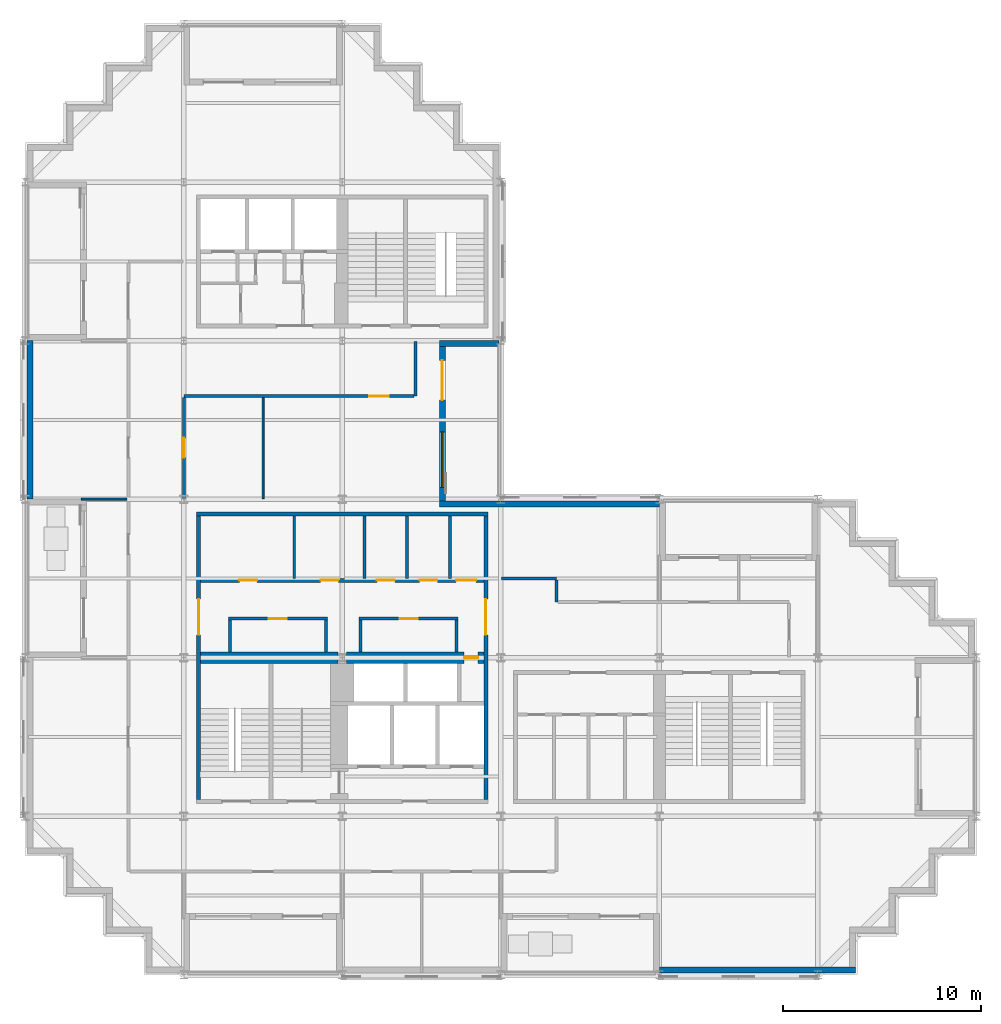
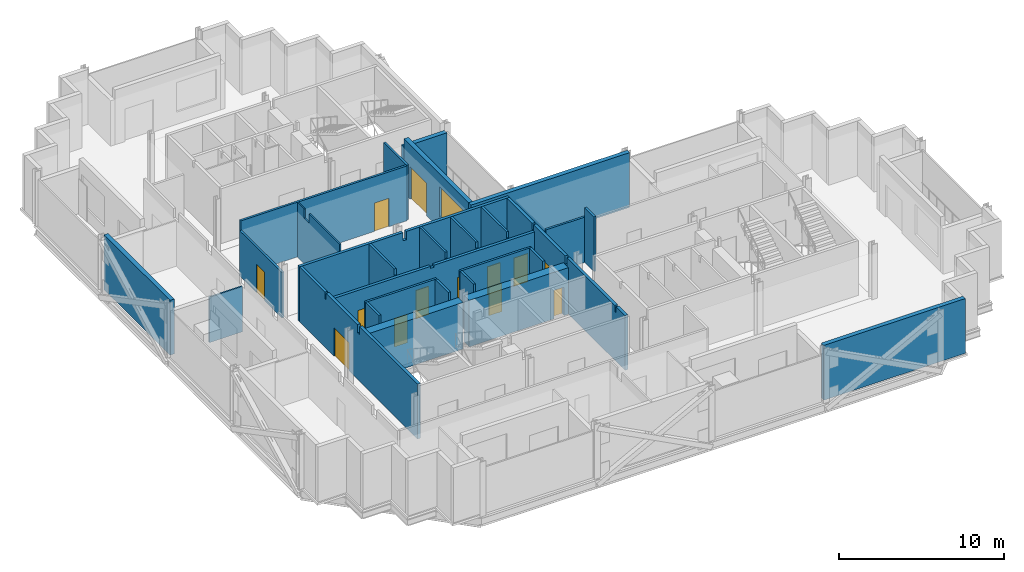
# One storey, part 6 of 11: 28 walls, 13 doors, 1 window, 14 openings.
"""IFC4 building model written with IfcOpenShell, lengths in metres."""

from ifc_helpers import new_model, si_unit, direction, frame, frame_2d, origin, place, context, subcontext, project, spatial, polyline, rectangle, outline, extrude, material, layer, layer_set, type_object, element, fill, save


model = new_model("IFC4")

# Units and contexts
model_context = context("Model", 3, precision=1e-05, world=origin(), true_north=direction((0.0, 1.0)))
body_context = subcontext(model_context, "Body", "Model", "MODEL_VIEW")
ifc_project = project(units=[si_unit("LENGTHUNIT", "METRE"), si_unit("AREAUNIT", "SQUARE_METRE"), si_unit("VOLUMEUNIT", "CUBIC_METRE"), si_unit("PLANEANGLEUNIT", "RADIAN"), si_unit("MASSUNIT", "GRAM", prefix="KILO")], contexts=[model_context])

# Site, building, storey
site_placement = place(None, origin())
site = spatial("IfcSite", under=ifc_project, at=site_placement, CompositionType="ELEMENT")
building_placement = place(site_placement, origin())
building = spatial("IfcBuilding", under=site, at=building_placement, Name="Immortelle Media Tower", CompositionType="ELEMENT")
storey_placement = place(building_placement, frame((0.0, 0.0, 157.800048828125)))
storey = spatial("IfcBuildingStorey", under=building, at=storey_placement, Name="L32", CompositionType="ELEMENT", Elevation=157.800048828125)

# Wall, opening, door
ifc_material_1 = material(Name="Fire-rated masonry blockwork", Category="masonry")
ifc_layer_1 = layer(ifc_material_1, 0.60009765625)
ifc_layer_set_1 = layer_set([ifc_layer_1], Name="Fire-rated masonry blockwork")
wall_type_1 = type_object("IfcWallType", Name="Core grid-line wall 600", PredefinedType="PARTITIONING", material=ifc_layer_set_1)
wall_1_placement = place(storey_placement, frame((16.20947265625, 16.0, 0.0), z_axis=(0.0, 0.0, 1.0), x_axis=(1.0, 0.0, 0.0)))
wall_1 = element("IfcWall", 1, at=wall_1_placement, inside=storey, type_object=wall_type_1, Name="Core grid-line wall SW", PredefinedType="PARTITIONING", context=body_context, shape_type="SweptSolid", body=[
    extrude(rectangle(XDim=6.9404296875, YDim=0.60009765625, at=frame_2d((3.47021484375, 0.0))), origin(), (0.0, 0.0, 1.0), 3.44189453125),
])
opening_1_placement = place(wall_1_placement, frame((6.640380859375, 0.0, 0.0), z_axis=(0.0, 0.0, 1.0), x_axis=(-1.0, 0.0, 0.0)))
opening_1 = element("IfcOpeningElement", 2, at=opening_1_placement, cuts=wall_1, Name="Opening C4-K016", PredefinedType="OPENING", context=body_context, shape_type="SweptSolid", body=[
    extrude(rectangle(XDim=0.699951171875, YDim=2.10009765625, at=frame_2d((0.35009765625, 1.050048828125))), frame((0.0, 0.31005859375, 0.0), z_axis=(0.0, -1.0, 0.0), x_axis=(1.0, 0.0, 0.0)), (0.0, 0.0, 1.0), 0.6201171875),
])
ifc_material_2 = material(Name="Galvanised steel door leaf and frame ASTM A653", Category="steel")
door_type_1 = type_object("IfcDoorType", Name="Service door 700 x 2100", OperationType="NOTDEFINED", PredefinedType="NOTDEFINED", material=ifc_material_2)
door_1_placement = place(opening_1_placement, origin())
door_1 = element("IfcDoor", 3, at=door_1_placement, inside=storey, type_object=door_type_1, Name="Service C4-K016", OperationType="SINGLE_SWING_LEFT", OverallHeight=2.10009765625, OverallWidth=0.699951171875, PredefinedType="NOTDEFINED", context=body_context, shape_type="SweptSolid", body=[
    extrude(rectangle(XDim=0.699951171875, YDim=2.10009765625, at=frame_2d((0.35009765625, 1.050048828125))), frame((0.0, 0.02490234375, 0.0), z_axis=(0.0, -1.0, 0.0), x_axis=(1.0, 0.0, 0.0)), (0.0, 0.0, 1.0), 0.050048828125),
])
fill(opening_1, door_1)

# Wall
ifc_material_3 = material(Name="Fire-rated gypsum board", Category="gypsum")
ifc_layer_2 = layer(ifc_material_3, 0.02490234375)
ifc_material_4 = material(Name="Steel ASTM A653 SS Gr 50 stud frame with mineral wool", Category="steel")
ifc_layer_3 = layer(ifc_material_4, 0.10009765625)
ifc_layer_4 = layer(ifc_material_3, 0.02490234375)
ifc_layer_set_2 = layer_set([ifc_layer_2, ifc_layer_3, ifc_layer_4], Name="Steel ASTM A653 SS Gr 50 stud frame with mineral wool")
wall_type_2 = type_object("IfcWallType", Name="Core partition 150", PredefinedType="PARTITIONING", material=ifc_layer_set_2)
wall_2_placement = place(storey_placement, frame((10.324951171875, 16.300048828125, 0.0), z_axis=(0.0, 0.0, 1.0), x_axis=(0.0, 1.0, 0.0)))
element("IfcWall", 4, at=wall_2_placement, inside=storey, type_object=wall_type_2, Name="Core partition SW", PredefinedType="PARTITIONING", context=body_context, shape_type="SweptSolid", body=[
    extrude(rectangle(XDim=1.599853515625, YDim=0.14990234375, at=frame_2d((0.7998046875, 0.0))), origin(), (0.0, 0.0, 1.0), 4.050048828125),
])

# Wall, opening, door
wall_3_placement = place(storey_placement, frame((10.25, 17.97509765625, 0.0), z_axis=(0.0, 0.0, 1.0), x_axis=(1.0, 0.0, 0.0)))
wall_3 = element("IfcWall", 5, at=wall_3_placement, inside=storey, type_object=wall_type_2, Name="Core partition SW", PredefinedType="PARTITIONING", context=body_context, shape_type="SweptSolid", body=[
    extrude(rectangle(XDim=5.0, YDim=0.14990234375, at=frame_2d((2.5, 0.0))), origin(), (0.0, 0.0, 1.0), 4.050048828125),
])
opening_2_placement = place(wall_3_placement, frame((2.949951171875, 0.0, 0.0), z_axis=(0.0, 0.0, 1.0), x_axis=(-1.0, 0.0, 0.0)))
opening_2 = element("IfcOpeningElement", 6, at=opening_2_placement, cuts=wall_3, Name="Opening C4-K004", PredefinedType="OPENING", context=body_context, shape_type="SweptSolid", body=[
    extrude(rectangle(XDim=0.89990234375, YDim=2.10009765625, at=frame_2d((0.449951171875, 1.050048828125))), frame((0.0, 0.0849609375, 0.0), z_axis=(0.0, -1.0, 0.0), x_axis=(1.0, 0.0, 0.0)), (0.0, 0.0, 1.0), 0.169921875),
])
ifc_material_5 = material(Name="Timber", Category="wood")
door_type_2 = type_object("IfcDoorType", Name="Room door 900 x 2100", OperationType="NOTDEFINED", PredefinedType="NOTDEFINED", material=ifc_material_5)
door_2_placement = place(opening_2_placement, origin())
door_2 = element("IfcDoor", 7, at=door_2_placement, inside=storey, type_object=door_type_2, Name="Room C4-K004", OperationType="SINGLE_SWING_RIGHT", OverallHeight=2.10009765625, OverallWidth=0.89990234375, PredefinedType="NOTDEFINED", context=body_context, shape_type="SweptSolid", body=[
    extrude(rectangle(XDim=0.89990234375, YDim=2.10009765625, at=frame_2d((0.449951171875, 1.050048828125))), frame((0.0, 0.02490234375, 0.0), z_axis=(0.0, -1.0, 0.0), x_axis=(1.0, 0.0, 0.0)), (0.0, 0.0, 1.0), 0.050048828125),
])
fill(opening_2, door_2)

# Walls
wall_4_placement = place(storey_placement, frame((13.574951171875, 20.0, 0.0), z_axis=(0.0, 0.0, 1.0), x_axis=(0.0, 1.0, 0.0)))
element("IfcWall", 8, at=wall_4_placement, inside=storey, type_object=wall_type_2, Name="Core partition SW", PredefinedType="PARTITIONING", context=body_context, shape_type="SweptSolid", body=[
    extrude(outline(polyline([(0.0, 0.0), (3.14990234375, 0.0), (3.14990234375, 4.050048828125), (0.08154296875, 4.050048828125), (0.08056640625, 3.5888671875), (0.0, 3.5888671875), (0.0, 0.0)])), frame((0.0, 0.074951171875, 0.0), z_axis=(0.0, -1.0, 0.0), x_axis=(1.0, 0.0, 0.0)), (0.0, 0.0, 1.0), 0.14990234375),
])
for number, where, z_axis, x_axis, name in (
    (9, (15.175048828125, 16.300048828125, 0.0), (0.0, 0.0, 1.0), (0.0, 1.0, 0.0), "Core partition SW"),
    (10, (16.925048828125, 16.300048828125, 0.0), (0.0, 0.0, 1.0), (0.0, 1.0, 0.0), "Core partition SW"),
):
    element("IfcWall", number, at=place(storey_placement, frame(where, z_axis=z_axis, x_axis=x_axis)), inside=storey, type_object=wall_type_2, Name=name, PredefinedType="PARTITIONING", context=body_context, shape_type="SweptSolid", body=[
        extrude(rectangle(XDim=1.599853515625, YDim=0.14990234375, at=frame_2d((0.7998046875, 0.0))), origin(), (0.0, 0.0, 1.0), 4.050048828125),
    ])

# Wall, opening, door
wall_5_placement = place(storey_placement, frame((16.85009765625, 17.97509765625, 0.0), z_axis=(0.0, 0.0, 1.0), x_axis=(1.0, 0.0, 0.0)))
wall_5 = element("IfcWall", 11, at=wall_5_placement, inside=storey, type_object=wall_type_2, Name="Core partition SW", PredefinedType="PARTITIONING", context=body_context, shape_type="SweptSolid", body=[
    extrude(rectangle(XDim=5.0, YDim=0.14990234375, at=frame_2d((2.5, 0.0))), origin(), (0.0, 0.0, 1.0), 4.050048828125),
])
opening_3_placement = place(wall_5_placement, frame((2.949951171875, 0.0, 0.0), z_axis=(0.0, 0.0, 1.0), x_axis=(-1.0, 0.0, 0.0)))
opening_3 = element("IfcOpeningElement", 12, at=opening_3_placement, cuts=wall_5, Name="Opening C4-K010", PredefinedType="OPENING", context=body_context, shape_type="SweptSolid", body=[
    extrude(rectangle(XDim=0.89990234375, YDim=2.10009765625, at=frame_2d((0.449951171875, 1.050048828125))), frame((0.0, 0.0849609375, 0.0), z_axis=(0.0, -1.0, 0.0), x_axis=(1.0, 0.0, 0.0)), (0.0, 0.0, 1.0), 0.169921875),
])
door_3_placement = place(opening_3_placement, origin())
door_3 = element("IfcDoor", 13, at=door_3_placement, inside=storey, type_object=door_type_2, Name="Room C4-K010", OperationType="SINGLE_SWING_LEFT", OverallHeight=2.10009765625, OverallWidth=0.89990234375, PredefinedType="NOTDEFINED", context=body_context, shape_type="SweptSolid", body=[
    extrude(rectangle(XDim=0.89990234375, YDim=2.10009765625, at=frame_2d((0.449951171875, 1.050048828125))), frame((0.0, 0.02490234375, 0.0), z_axis=(0.0, -1.0, 0.0), x_axis=(1.0, 0.0, 0.0)), (0.0, 0.0, 1.0), 0.050048828125),
])
fill(opening_3, door_3)

# Walls
for number, where, z_axis, x_axis, name in (
    (14, (17.125, 20.0, 0.0), (0.0, 0.0, 1.0), (0.0, 1.0, 0.0), "Core partition SW"),
    (15, (19.27490234375, 20.0, 0.0), (0.0, 0.0, 1.0), (0.0, 1.0, 0.0), "Core partition SW"),
    (16, (21.425048828125, 20.0, 0.0), (0.0, 0.0, 1.0), (0.0, 1.0, 0.0), "Core partition SW"),
):
    element("IfcWall", number, at=place(storey_placement, frame(where, z_axis=z_axis, x_axis=x_axis)), inside=storey, type_object=wall_type_2, Name=name, PredefinedType="PARTITIONING", context=body_context, shape_type="SweptSolid", body=[
        extrude(outline(polyline([(0.0, 0.0), (3.14990234375, 0.0), (3.14990234375, 4.050048828125), (0.08154296875, 4.050048828125), (0.08056640625, 3.5888671875), (0.0, 3.5888671875), (0.0, 0.0)])), frame((0.0, 0.074951171875, 0.0), z_axis=(0.0, -1.0, 0.0), x_axis=(1.0, 0.0, 0.0)), (0.0, 0.0, 1.0), 0.14990234375),
    ])
wall_6_placement = place(storey_placement, frame((21.77490234375, 16.300048828125, 0.0), z_axis=(0.0, 0.0, 1.0), x_axis=(0.0, 1.0, 0.0)))
element("IfcWall", 17, at=wall_6_placement, inside=storey, type_object=wall_type_2, Name="Core partition SW", PredefinedType="PARTITIONING", context=body_context, shape_type="SweptSolid", body=[
    extrude(rectangle(XDim=1.599853515625, YDim=0.14990234375, at=frame_2d((0.7998046875, 0.0))), origin(), (0.0, 0.0, 1.0), 4.050048828125),
])
ifc_layer_5 = layer(ifc_material_3, 0.03759765625)
ifc_layer_6 = layer(ifc_material_4, 0.125)
ifc_layer_7 = layer(ifc_material_3, 0.03759765625)
ifc_layer_set_3 = layer_set([ifc_layer_5, ifc_layer_6, ifc_layer_7], Name="Steel ASTM A653 SS Gr 50 stud frame with mineral wool")
wall_type_3 = type_object("IfcWallType", Name="Core shaft wall 200", PredefinedType="PARTITIONING", material=ifc_layer_set_3)
wall_7_placement = place(storey_placement, frame((8.64990234375, 23.25, 0.0), z_axis=(0.0, 0.0, 1.0), x_axis=(1.0, 0.0, 0.0)))
element("IfcWall", 18, at=wall_7_placement, inside=storey, type_object=wall_type_3, Name="Core shaft wall SW", PredefinedType="PARTITIONING", context=body_context, shape_type="SweptSolid", body=[
    extrude(outline(polyline([(0.0, 0.0), (14.7001953125, 0.0), (14.699951171875, 4.050048828125), (7.468994140625, 4.050048828125), (7.468017578125, 3.44189453125), (7.23193359375, 3.44189453125), (7.23095703125, 4.050048828125), (0.0, 4.050048828125), (0.0, 0.0)])), frame((0.0, 0.10009765625, 0.0), z_axis=(0.0, -1.0, 0.0), x_axis=(1.0, 0.0, 0.0)), (0.0, 0.0, 1.0), 0.199951171875),
])

# Wall, openings, doors
wall_8_placement = place(storey_placement, frame((8.85009765625, 19.89990234375, 0.0), z_axis=(0.0, 0.0, 1.0), x_axis=(1.0, 0.0, 0.0)))
wall_8 = element("IfcWall", 19, at=wall_8_placement, inside=storey, type_object=wall_type_3, Name="Core shaft wall SW", PredefinedType="PARTITIONING", context=body_context, shape_type="SweptSolid", body=[
    extrude(outline(polyline([(0.0, 0.0), (14.2998046875, 0.0), (14.300048828125, 3.5888671875), (7.26904296875, 3.5888671875), (7.26806640625, 3.44189453125), (7.031982421875, 3.44189453125), (7.031005859375, 3.5888671875), (0.0, 3.5888671875), (0.0, 0.0)])), frame((0.0, 0.10009765625, 0.0), z_axis=(0.0, -1.0, 0.0), x_axis=(1.0, 0.0, 0.0)), (0.0, 0.0, 1.0), 0.199951171875),
])
opening_4_placement = place(wall_8_placement, frame((1.949951171875, 0.0, 0.0)))
opening_4 = element("IfcOpeningElement", 20, at=opening_4_placement, cuts=wall_8, Name="Opening C4-K003", PredefinedType="OPENING", context=body_context, shape_type="SweptSolid", body=[
    extrude(rectangle(XDim=0.89990234375, YDim=2.10009765625, at=frame_2d((0.449951171875, 1.050048828125))), frame((0.0, 0.10986328125, 0.0), z_axis=(0.0, -1.0, 0.0), x_axis=(1.0, 0.0, 0.0)), (0.0, 0.0, 1.0), 0.219970703125),
])
opening_5_placement = place(wall_8_placement, frame((6.050048828125, 0.0, 0.0)))
opening_5 = element("IfcOpeningElement", 21, at=opening_5_placement, cuts=wall_8, Name="Opening C4-K006", PredefinedType="OPENING", context=body_context, shape_type="SweptSolid", body=[
    extrude(rectangle(XDim=0.89990234375, YDim=2.10009765625, at=frame_2d((0.449951171875, 1.050048828125))), frame((0.0, 0.10986328125, 0.0), z_axis=(0.0, -1.0, 0.0), x_axis=(1.0, 0.0, 0.0)), (0.0, 0.0, 1.0), 0.219970703125),
])
opening_6_placement = place(wall_8_placement, frame((8.89990234375, 0.0, 0.0)))
opening_6 = element("IfcOpeningElement", 22, at=opening_6_placement, cuts=wall_8, Name="Opening C4-K009", PredefinedType="OPENING", context=body_context, shape_type="SweptSolid", body=[
    extrude(rectangle(XDim=0.89990234375, YDim=2.10009765625, at=frame_2d((0.449951171875, 1.050048828125))), frame((0.0, 0.10986328125, 0.0), z_axis=(0.0, -1.0, 0.0), x_axis=(1.0, 0.0, 0.0)), (0.0, 0.0, 1.0), 0.219970703125),
])
opening_7_placement = place(wall_8_placement, frame((11.050048828125, 0.0, 0.0)))
opening_7 = element("IfcOpeningElement", 23, at=opening_7_placement, cuts=wall_8, Name="Opening C4-K013", PredefinedType="OPENING", context=body_context, shape_type="SweptSolid", body=[
    extrude(rectangle(XDim=0.89990234375, YDim=2.10009765625, at=frame_2d((0.449951171875, 1.050048828125))), frame((0.0, 0.10986328125, 0.0), z_axis=(0.0, -1.0, 0.0), x_axis=(1.0, 0.0, 0.0)), (0.0, 0.0, 1.0), 0.219970703125),
])
opening_8_placement = place(wall_8_placement, frame((12.89990234375, 0.0, 0.0)))
opening_8 = element("IfcOpeningElement", 24, at=opening_8_placement, cuts=wall_8, Name="Opening C4-K015", PredefinedType="OPENING", context=body_context, shape_type="SweptSolid", body=[
    extrude(rectangle(XDim=1.0, YDim=2.10009765625, at=frame_2d((0.5, 1.050048828125))), frame((0.0, 0.10986328125, 0.0), z_axis=(0.0, -1.0, 0.0), x_axis=(1.0, 0.0, 0.0)), (0.0, 0.0, 1.0), 0.219970703125),
])
door_type_3 = type_object("IfcDoorType", Name="Accessible toilet door 1000 x 2100", OperationType="NOTDEFINED", PredefinedType="NOTDEFINED", material=ifc_material_5)
door_4_placement = place(opening_8_placement, origin())
door_4 = element("IfcDoor", 25, at=door_4_placement, inside=storey, type_object=door_type_3, Name="Accessible toilet C4-K015", OperationType="SINGLE_SWING_LEFT", OverallHeight=2.10009765625, OverallWidth=1.0, PredefinedType="NOTDEFINED", context=body_context, shape_type="SweptSolid", body=[
    extrude(rectangle(XDim=1.0, YDim=2.10009765625, at=frame_2d((0.5, 1.050048828125))), frame((0.0, 0.02490234375, 0.0), z_axis=(0.0, -1.0, 0.0), x_axis=(1.0, 0.0, 0.0)), (0.0, 0.0, 1.0), 0.050048828125),
])
fill(opening_8, door_4)
door_5_placement = place(opening_4_placement, origin())
door_5 = element("IfcDoor", 26, at=door_5_placement, inside=storey, type_object=door_type_2, Name="Room C4-K003", OperationType="SINGLE_SWING_RIGHT", OverallHeight=2.10009765625, OverallWidth=0.89990234375, PredefinedType="NOTDEFINED", context=body_context, shape_type="SweptSolid", body=[
    extrude(rectangle(XDim=0.89990234375, YDim=2.10009765625, at=frame_2d((0.449951171875, 1.050048828125))), frame((0.0, 0.02490234375, 0.0), z_axis=(0.0, -1.0, 0.0), x_axis=(1.0, 0.0, 0.0)), (0.0, 0.0, 1.0), 0.050048828125),
])
fill(opening_4, door_5)
door_6_placement = place(opening_5_placement, origin())
door_6 = element("IfcDoor", 27, at=door_6_placement, inside=storey, type_object=door_type_2, Name="Room C4-K006", OperationType="SINGLE_SWING_LEFT", OverallHeight=2.10009765625, OverallWidth=0.89990234375, PredefinedType="NOTDEFINED", context=body_context, shape_type="SweptSolid", body=[
    extrude(rectangle(XDim=0.89990234375, YDim=2.10009765625, at=frame_2d((0.449951171875, 1.050048828125))), frame((0.0, 0.02490234375, 0.0), z_axis=(0.0, -1.0, 0.0), x_axis=(1.0, 0.0, 0.0)), (0.0, 0.0, 1.0), 0.050048828125),
])
fill(opening_5, door_6)
door_type_4 = type_object("IfcDoorType", Name="Toilet door 900 x 2100", OperationType="NOTDEFINED", PredefinedType="NOTDEFINED", material=ifc_material_5)
door_7_placement = place(opening_6_placement, origin())
door_7 = element("IfcDoor", 28, at=door_7_placement, inside=storey, type_object=door_type_4, Name="Toilet C4-K009", OperationType="SINGLE_SWING_RIGHT", OverallHeight=2.10009765625, OverallWidth=0.89990234375, PredefinedType="NOTDEFINED", context=body_context, shape_type="SweptSolid", body=[
    extrude(rectangle(XDim=0.89990234375, YDim=2.10009765625, at=frame_2d((0.449951171875, 1.050048828125))), frame((0.0, 0.02490234375, 0.0), z_axis=(0.0, -1.0, 0.0), x_axis=(1.0, 0.0, 0.0)), (0.0, 0.0, 1.0), 0.050048828125),
])
fill(opening_6, door_7)
door_8_placement = place(opening_7_placement, origin())
door_8 = element("IfcDoor", 29, at=door_8_placement, inside=storey, type_object=door_type_4, Name="Toilet C4-K013", OperationType="SINGLE_SWING_RIGHT", OverallHeight=2.10009765625, OverallWidth=0.89990234375, PredefinedType="NOTDEFINED", context=body_context, shape_type="SweptSolid", body=[
    extrude(rectangle(XDim=0.89990234375, YDim=2.10009765625, at=frame_2d((0.449951171875, 1.050048828125))), frame((0.0, 0.02490234375, 0.0), z_axis=(0.0, -1.0, 0.0), x_axis=(1.0, 0.0, 0.0)), (0.0, 0.0, 1.0), 0.050048828125),
])
fill(opening_7, door_8)

# Wall, opening, door
wall_9_placement = place(storey_placement, frame((23.25, 8.85009765625, 0.0), z_axis=(0.0, 0.0, 1.0), x_axis=(0.0, 1.0, 0.0)))
wall_9 = element("IfcWall", 30, at=wall_9_placement, inside=storey, type_object=wall_type_3, Name="Core shaft wall SW", PredefinedType="PARTITIONING", context=body_context, shape_type="SweptSolid", body=[
    extrude(outline(polyline([(0.0, 0.0), (14.2998046875, 0.0), (14.300048828125, 4.050048828125), (11.2314453125, 4.050048828125), (11.23046875, 3.5888671875), (11.069580078125, 3.5888671875), (11.068603515625, 4.050048828125), (7.26904296875, 4.050048828125), (7.26806640625, 3.44189453125), (7.031982421875, 3.44189453125), (7.031005859375, 4.050048828125), (1.2314453125, 4.050048828125), (1.23046875, 3.5888671875), (1.069580078125, 3.5888671875), (1.068603515625, 4.050048828125), (0.0, 4.050048828125), (0.0, 0.0)])), frame((0.0, 0.10009765625, 0.0), z_axis=(0.0, -1.0, 0.0), x_axis=(1.0, 0.0, 0.0)), (0.0, 0.0, 1.0), 0.199951171875),
])
opening_9_placement = place(wall_9_placement, frame((8.300048828125, 0.0, 0.0)))
opening_9 = element("IfcOpeningElement", 31, at=opening_9_placement, cuts=wall_9, Name="Opening C4-K017", PredefinedType="OPENING", context=body_context, shape_type="SweptSolid", body=[
    extrude(rectangle(XDim=1.800048828125, YDim=2.10009765625, at=frame_2d((0.89990234375, 1.050048828125))), frame((0.0, 0.10986328125, 0.0), z_axis=(0.0, -1.0, 0.0), x_axis=(1.0, 0.0, 0.0)), (0.0, 0.0, 1.0), 0.219970703125),
])
door_type_5 = type_object("IfcDoorType", Name="Lift lobby door 1800 x 2100", OperationType="DOUBLE_DOOR_SINGLE_SWING", PredefinedType="NOTDEFINED", material=ifc_material_2)
door_9_placement = place(opening_9_placement, origin())
door_9 = element("IfcDoor", 32, at=door_9_placement, inside=storey, type_object=door_type_5, Name="Lift lobby C4-K017", OperationType="DOUBLE_DOOR_SINGLE_SWING", OverallHeight=2.10009765625, OverallWidth=1.800048828125, PredefinedType="NOTDEFINED", context=body_context, shape_type="SweptSolid", body=[
    extrude(rectangle(XDim=1.800048828125, YDim=2.10009765625, at=frame_2d((0.89990234375, 1.050048828125))), frame((0.0, 0.02490234375, 0.0), z_axis=(0.0, -1.0, 0.0), x_axis=(1.0, 0.0, 0.0)), (0.0, 0.0, 1.0), 0.050048828125),
])
fill(opening_9, door_9)

# Walls
ifc_layer_8 = layer(ifc_material_3, 0.012451171875)
ifc_layer_9 = layer(ifc_material_4, 0.125)
ifc_layer_10 = layer(ifc_material_3, 0.012451171875)
ifc_layer_set_4 = layer_set([ifc_layer_8, ifc_layer_9, ifc_layer_10], Name="Steel ASTM A653 SS Gr 50 stud frame with mineral wool")
wall_type_4 = type_object("IfcWallType", Name="Corridor wall 150", PredefinedType="PARTITIONING", material=ifc_layer_set_4)
wall_10_placement = place(storey_placement, frame((26.800048828125, 18.800048828125, 0.0), z_axis=(0.0, 0.0, 1.0), x_axis=(0.0, 1.0, 0.0)))
element("IfcWall", 33, at=wall_10_placement, inside=storey, type_object=wall_type_4, Name="Partition L32-012", PredefinedType="PARTITIONING", context=body_context, shape_type="SweptSolid", body=[
    extrude(rectangle(XDim=1.125, YDim=0.14990234375, at=frame_2d((0.5625, 0.0))), origin(), (0.0, 0.0, 1.0), 4.050048828125),
])
wall_11_placement = place(storey_placement, frame((24.030029296875, 20.0, 0.0), z_axis=(0.0, 0.0, 1.0), x_axis=(1.0, 0.0, 0.0)))
element("IfcWall", 34, at=wall_11_placement, inside=storey, type_object=wall_type_4, Name="Partition L32-015", PredefinedType="PARTITIONING", context=body_context, shape_type="SweptSolid", body=[
    extrude(rectangle(XDim=2.77001953125, YDim=0.14990234375, at=frame_2d((1.385009765625, 0.0))), origin(), (0.0, 0.0, 1.0), 3.35400390625),
])

# Wall, opening, door
wall_12_placement = place(storey_placement, frame((8.0, 24.030029296875, 0.0), z_axis=(0.0, 0.0, 1.0), x_axis=(0.0, 1.0, 0.0)))
wall_12 = element("IfcWall", 35, at=wall_12_placement, inside=storey, type_object=wall_type_4, Name="Partition L32-017", PredefinedType="PARTITIONING", context=body_context, shape_type="SweptSolid", body=[
    extrude(rectangle(XDim=5.094970703125, YDim=0.14990234375, at=frame_2d((2.54736328125, 0.0))), origin(), (0.0, 0.0, 1.0), 3.35400390625),
])
opening_10_placement = place(wall_12_placement, frame((3.070068359375, 0.0, 0.0), z_axis=(0.0, 0.0, 1.0), x_axis=(-1.0, 0.0, 0.0)))
opening_10 = element("IfcOpeningElement", 36, at=opening_10_placement, cuts=wall_12, Name="Opening C4-F010", PredefinedType="OPENING", context=body_context, shape_type="SweptSolid", body=[
    extrude(rectangle(XDim=1.0, YDim=2.10009765625, at=frame_2d((0.5, 1.050048828125))), frame((0.0, 0.0849609375, 0.0), z_axis=(0.0, -1.0, 0.0), x_axis=(1.0, 0.0, 0.0)), (0.0, 0.0, 1.0), 0.169921875),
])
ifc_material_6 = material(Name="Timber veneered door leaf, galvanised steel frame ASTM A653", Category="steel")
door_type_6 = type_object("IfcDoorType", Name="Room door 1000 x 2100", OperationType="NOTDEFINED", PredefinedType="DOOR", material=ifc_material_6)
door_10_placement = place(opening_10_placement, origin())
door_10 = element("IfcDoor", 37, at=door_10_placement, inside=storey, type_object=door_type_6, Name="Door C4-F010", OperationType="SINGLE_SWING_LEFT", OverallHeight=2.10009765625, OverallWidth=1.0, PredefinedType="DOOR", context=body_context, shape_type="SweptSolid", body=[
    extrude(rectangle(XDim=1.0, YDim=2.10009765625, at=frame_2d((0.5, 1.050048828125))), frame((0.0, 0.02490234375, 0.0), z_axis=(0.0, -1.0, 0.0), x_axis=(1.0, 0.0, 0.0)), (0.0, 0.0, 1.0), 0.050048828125),
])
fill(opening_10, door_10)

wall_13_placement = place(storey_placement, frame((8.0, 29.199951171875, 0.0), z_axis=(0.0, 0.0, 1.0), x_axis=(1.0, 0.0, 0.0)))
wall_13 = element("IfcWall", 38, at=wall_13_placement, inside=storey, type_object=wall_type_4, Name="Partition L32-019", PredefinedType="PARTITIONING", context=body_context, shape_type="SweptSolid", body=[
    extrude(rectangle(XDim=11.625, YDim=0.14990234375, at=frame_2d((5.8125, 0.0))), origin(), (0.0, 0.0, 1.0), 4.050048828125),
])
opening_11_placement = place(wall_13_placement, frame((10.35009765625, 0.0, 0.0), z_axis=(0.0, 0.0, 1.0), x_axis=(-1.0, 0.0, 0.0)))
opening_11 = element("IfcOpeningElement", 39, at=opening_11_placement, cuts=wall_13, Name="Opening C4-F011", PredefinedType="OPENING", context=body_context, shape_type="SweptSolid", body=[
    extrude(rectangle(XDim=1.0, YDim=2.10009765625, at=frame_2d((0.5, 1.050048828125))), frame((0.0, 0.0849609375, 0.0), z_axis=(0.0, -1.0, 0.0), x_axis=(1.0, 0.0, 0.0)), (0.0, 0.0, 1.0), 0.169921875),
])
door_11_placement = place(opening_11_placement, origin())
door_11 = element("IfcDoor", 40, at=door_11_placement, inside=storey, type_object=door_type_6, Name="Door C4-F011", OperationType="SINGLE_SWING_LEFT", OverallHeight=2.10009765625, OverallWidth=1.0, PredefinedType="DOOR", context=body_context, shape_type="SweptSolid", body=[
    extrude(rectangle(XDim=1.0, YDim=2.10009765625, at=frame_2d((0.5, 1.050048828125))), frame((0.0, 0.02490234375, 0.0), z_axis=(0.0, -1.0, 0.0), x_axis=(1.0, 0.0, 0.0)), (0.0, 0.0, 1.0), 0.050048828125),
])
fill(opening_11, door_11)

# Walls
wall_14_placement = place(storey_placement, frame((19.699951171875, 29.199951171875, 0.0), z_axis=(0.0, 0.0, 1.0), x_axis=(0.0, 1.0, 0.0)))
element("IfcWall", 41, at=wall_14_placement, inside=storey, type_object=wall_type_4, Name="Partition L32-020", PredefinedType="PARTITIONING", context=body_context, shape_type="SweptSolid", body=[
    extrude(rectangle(XDim=2.77001953125, YDim=0.14990234375, at=frame_2d((1.385009765625, 0.0))), origin(), (0.0, 0.0, 1.0), 4.050048828125),
])
ifc_material_7 = material(Name="Pale aluminium cladding panel", Category="aluminium")
ifc_layer_11 = layer(ifc_material_7, 0.030029296875)
ifc_layer_12 = layer(ifc_material_4, 0.257568359375)
ifc_material_8 = material(Name="Moisture-resistant gypsum board", Category="gypsum")
ifc_layer_13 = layer(ifc_material_8, 0.012451171875)
ifc_layer_set_5 = layer_set([ifc_layer_11, ifc_layer_12, ifc_layer_13], Name="Steel ASTM A653 SS Gr 50 stud frame with mineral wool")
wall_type_5 = type_object("IfcWallType", Name="Facade wall 300", PredefinedType="SOLIDWALL", material=ifc_layer_set_5)
wall_15_placement = place(storey_placement, frame((32.0, 0.25, 0.0), z_axis=(0.0, 0.0, 1.0), x_axis=(1.0, 0.0, 0.0)))
element("IfcWall", 42, at=wall_15_placement, inside=storey, type_object=wall_type_5, Name="Facade wall L32 S6", PredefinedType="SOLIDWALL", context=body_context, shape_type="SweptSolid", body=[
    extrude(rectangle(XDim=9.89990234375, YDim=0.300048828125, at=frame_2d((4.949951171875, 0.0))), origin(), (0.0, 0.0, 1.0), 4.050048828125),
])
wall_16_placement = place(storey_placement, frame((32.0, 23.75, 0.0), z_axis=(0.0, 0.0, 1.0), x_axis=(-1.0, 0.0, 0.0)))
element("IfcWall", 43, at=wall_16_placement, inside=storey, type_object=wall_type_5, Name="Facade wall L32 N20", PredefinedType="SOLIDWALL", context=body_context, shape_type="SweptSolid", body=[
    extrude(rectangle(XDim=11.10009765625, YDim=0.300048828125, at=frame_2d((5.550048828125, 0.0))), origin(), (0.0, 0.0, 1.0), 4.050048828125),
])

# Wall, openings, door, window
wall_17_placement = place(storey_placement, frame((21.050048828125, 23.89990234375, 0.0), z_axis=(0.0, 0.0, 1.0), x_axis=(0.0, 1.0, 0.0)))
wall_17 = element("IfcWall", 44, at=wall_17_placement, inside=storey, type_object=wall_type_5, Name="Loggia wall L32 E21", PredefinedType="SOLIDWALL", context=body_context, shape_type="SweptSolid", body=[
    extrude(rectangle(XDim=7.800048828125, YDim=0.300048828125, at=frame_2d((3.89990234375, 0.0))), origin(), (0.0, 0.0, 1.0), 4.050048828125),
])
opening_12_placement = place(wall_17_placement, frame((0.699951171875, 0.0, 0.89990234375)))
opening_12 = element("IfcOpeningElement", 45, at=opening_12_placement, cuts=wall_17, Name="Opening W1", PredefinedType="OPENING", context=body_context, shape_type="SweptSolid", body=[
    extrude(rectangle(XDim=2.800048828125, YDim=2.199951171875, at=frame_2d((1.39990234375, 1.10009765625))), frame((0.0, 0.159912109375, 0.0), z_axis=(0.0, -1.0, 0.0), x_axis=(1.0, 0.0, 0.0)), (0.0, 0.0, 1.0), 0.320068359375),
])
opening_13_placement = place(wall_17_placement, frame((5.10009765625, 0.0, 0.0)))
opening_13 = element("IfcOpeningElement", 46, at=opening_13_placement, cuts=wall_17, Name="Opening C4-E005", PredefinedType="OPENING", context=body_context, shape_type="SweptSolid", body=[
    extrude(rectangle(XDim=2.0, YDim=2.39990234375, at=frame_2d((1.0, 1.199951171875))), frame((0.0, 0.159912109375, 0.0), z_axis=(0.0, -1.0, 0.0), x_axis=(1.0, 0.0, 0.0)), (0.0, 0.0, 1.0), 0.320068359375),
])
ifc_material_9 = material(Name="Aluminium frame, glazed leaves", Category="aluminium")
door_type_7 = type_object("IfcDoorType", Name="Loggia door 2000 x 2400", OperationType="DOUBLE_DOOR_SINGLE_SWING", PredefinedType="DOOR", material=ifc_material_9)
door_12_placement = place(opening_13_placement, origin())
door_12 = element("IfcDoor", 47, at=door_12_placement, inside=storey, type_object=door_type_7, Name="Door C4-E005", OperationType="DOUBLE_DOOR_SINGLE_SWING", OverallHeight=2.39990234375, OverallWidth=2.0, PredefinedType="DOOR", context=body_context, shape_type="SweptSolid", body=[
    extrude(rectangle(XDim=2.0, YDim=2.39990234375, at=frame_2d((1.0, 1.199951171875))), frame((0.0, 0.02490234375, 0.0), z_axis=(0.0, -1.0, 0.0), x_axis=(1.0, 0.0, 0.0)), (0.0, 0.0, 1.0), 0.050048828125),
])
fill(opening_13, door_12)
ifc_material_10 = material(Name="Aluminium frame", Category="aluminium")
window_type = type_object("IfcWindowType", Name="Window 2800 x 2200", PartitioningType="SINGLE_PANEL", PredefinedType="WINDOW", material=ifc_material_10)
window_placement = place(opening_12_placement, origin())
window = element("IfcWindow", 48, at=window_placement, inside=storey, type_object=window_type, Name="Window L32 L32-R21-B0", OverallHeight=2.199951171875, OverallWidth=2.800048828125, PartitioningType="SINGLE_PANEL", PredefinedType="WINDOW", context=body_context, shape_type="SweptSolid", body=[
    extrude(rectangle(XDim=2.800048828125, YDim=2.199951171875, at=frame_2d((1.39990234375, 1.10009765625))), frame((0.0, 0.030029296875, 0.0), z_axis=(0.0, -1.0, 0.0), x_axis=(1.0, 0.0, 0.0)), (0.0, 0.0, 1.0), 0.06005859375),
])
fill(opening_12, window)

# Walls
wall_18_placement = place(storey_placement, frame((23.89990234375, 31.85009765625, 0.0), z_axis=(0.0, 0.0, 1.0), x_axis=(-1.0, 0.0, 0.0)))
element("IfcWall", 49, at=wall_18_placement, inside=storey, type_object=wall_type_5, Name="Loggia cheek wall L32 E", PredefinedType="SOLIDWALL", context=body_context, shape_type="SweptSolid", body=[
    extrude(rectangle(XDim=3.0, YDim=0.300048828125, at=frame_2d((1.5, 0.0))), origin(), (0.0, 0.0, 1.0), 3.43701171875),
])
wall_19_placement = place(storey_placement, frame((0.25, 32.0, 0.0), z_axis=(0.0, 0.0, 1.0), x_axis=(0.0, -1.0, 0.0)))
element("IfcWall", 50, at=wall_19_placement, inside=storey, type_object=wall_type_5, Name="Facade wall L32 W35", PredefinedType="SOLIDWALL", context=body_context, shape_type="SweptSolid", body=[
    extrude(rectangle(XDim=8.0, YDim=0.300048828125, at=frame_2d((4.0, 0.0))), origin(), (0.0, 0.0, 1.0), 4.050048828125),
])
ifc_material_11 = material(Name="Gypsum board", Category="gypsum")
ifc_layer_14 = layer(ifc_material_11, 0.012451171875)
ifc_layer_15 = layer(ifc_material_4, 0.074951171875)
ifc_layer_16 = layer(ifc_material_11, 0.012451171875)
ifc_layer_set_6 = layer_set([ifc_layer_14, ifc_layer_15, ifc_layer_16], Name="Steel ASTM A653 SS Gr 50 stud frame with mineral wool")
wall_type_6 = type_object("IfcWallType", Name="Partition 100", PredefinedType="PARTITIONING", material=ifc_layer_set_6)
wall_20_placement = place(storey_placement, frame((2.830078125, 24.0, 0.0), z_axis=(0.0, 0.0, 1.0), x_axis=(1.0, 0.0, 0.0)))
element("IfcWall", 51, at=wall_20_placement, inside=storey, type_object=wall_type_6, Name="Partition L32-016", PredefinedType="PARTITIONING", context=body_context, shape_type="SweptSolid", body=[
    extrude(rectangle(XDim=2.294921875, YDim=0.10009765625, at=frame_2d((1.1474609375, 0.0))), origin(), (0.0, 0.0, 1.0), 3.35400390625),
])
wall_21_placement = place(storey_placement, frame((12.0, 24.030029296875, 0.0), z_axis=(0.0, 0.0, 1.0), x_axis=(0.0, 1.0, 0.0)))
element("IfcWall", 52, at=wall_21_placement, inside=storey, type_object=wall_type_6, Name="Partition L32-018", PredefinedType="PARTITIONING", context=body_context, shape_type="SweptSolid", body=[
    extrude(outline(polyline([(0.0, 0.0), (5.094970703125, 0.0), (5.094970703125, 4.050048828125), (4.27001953125, 4.050048828125), (4.26806640625, 3.35400390625), (3.672119140625, 3.35400390625), (3.669921875, 4.050048828125), (0.0, 4.050048828125), (0.0, 0.0)])), frame((0.0, 0.050048828125, 0.0), z_axis=(0.0, -1.0, 0.0), x_axis=(1.0, 0.0, 0.0)), (0.0, 0.0, 1.0), 0.10009765625),
])

# Wall, opening, door
ifc_material_12 = material(Name="Concrete C60", Category="concrete")
ifc_layer_17 = layer(ifc_material_12, 0.199951171875)
ifc_layer_set_7 = layer_set([ifc_layer_17], Name="Concrete C60")
wall_type_7 = type_object("IfcWallType", Name="Stair shaft wall 200", PredefinedType="PARTITIONING", material=ifc_layer_set_7)
wall_22_placement = place(storey_placement, frame((8.75, 8.85009765625, 0.0), z_axis=(0.0, 0.0, 1.0), x_axis=(0.0, 1.0, 0.0)))
wall_22 = element("IfcWall", 53, at=wall_22_placement, inside=storey, type_object=wall_type_7, Name="Stair shaft wall SW", PredefinedType="PARTITIONING", context=body_context, shape_type="SweptSolid", body=[
    extrude(outline(polyline([(0.0, 0.0), (14.2998046875, 0.0), (14.300048828125, 4.050048828125), (11.2314453125, 4.050048828125), (11.23046875, 3.5888671875), (11.069580078125, 3.5888671875), (11.068603515625, 4.050048828125), (7.26904296875, 4.050048828125), (7.26806640625, 3.44189453125), (7.031982421875, 3.44189453125), (7.031005859375, 4.050048828125), (0.0, 4.050048828125), (0.0, 0.0)])), frame((0.0, 0.10009765625, 0.0), z_axis=(0.0, -1.0, 0.0), x_axis=(1.0, 0.0, 0.0)), (0.0, 0.0, 1.0), 0.199951171875),
])
opening_14_placement = place(wall_22_placement, frame((8.300048828125, 0.0, 0.0)))
opening_14 = element("IfcOpeningElement", 54, at=opening_14_placement, cuts=wall_22, Name="Opening C4-K001", PredefinedType="OPENING", context=body_context, shape_type="SweptSolid", body=[
    extrude(rectangle(XDim=1.800048828125, YDim=2.10009765625, at=frame_2d((0.89990234375, 1.050048828125))), frame((0.0, 0.10986328125, 0.0), z_axis=(0.0, -1.0, 0.0), x_axis=(1.0, 0.0, 0.0)), (0.0, 0.0, 1.0), 0.219970703125),
])
door_13_placement = place(opening_14_placement, origin())
door_13 = element("IfcDoor", 55, at=door_13_placement, inside=storey, type_object=door_type_5, Name="Lift lobby C4-K001", OperationType="DOUBLE_DOOR_SINGLE_SWING", OverallHeight=2.10009765625, OverallWidth=1.800048828125, PredefinedType="NOTDEFINED", context=body_context, shape_type="SweptSolid", body=[
    extrude(rectangle(XDim=1.800048828125, YDim=2.10009765625, at=frame_2d((0.89990234375, 1.050048828125))), frame((0.0, 0.02490234375, 0.0), z_axis=(0.0, -1.0, 0.0), x_axis=(1.0, 0.0, 0.0)), (0.0, 0.0, 1.0), 0.050048828125),
])
fill(opening_14, door_13)

# Wall
ifc_layer_18 = layer(ifc_material_12, 0.60009765625)
ifc_layer_set_8 = layer_set([ifc_layer_18], Name="Concrete C60")
wall_type_8 = type_object("IfcWallType", Name="Stair shaft wall 600", PredefinedType="PARTITIONING", material=ifc_layer_set_8)
wall_23_placement = place(storey_placement, frame((8.85009765625, 16.0, 0.0), z_axis=(0.0, 0.0, 1.0), x_axis=(1.0, 0.0, 0.0)))
element("IfcWall", 56, at=wall_23_placement, inside=storey, type_object=wall_type_8, Name="Stair shaft wall SW", PredefinedType="PARTITIONING", context=body_context, shape_type="SweptSolid", body=[
    extrude(rectangle(XDim=6.9404296875, YDim=0.60009765625, at=frame_2d((3.47021484375, 0.0))), origin(), (0.0, 0.0, 1.0), 3.44189453125),
])

save(model, "model.ifc")
